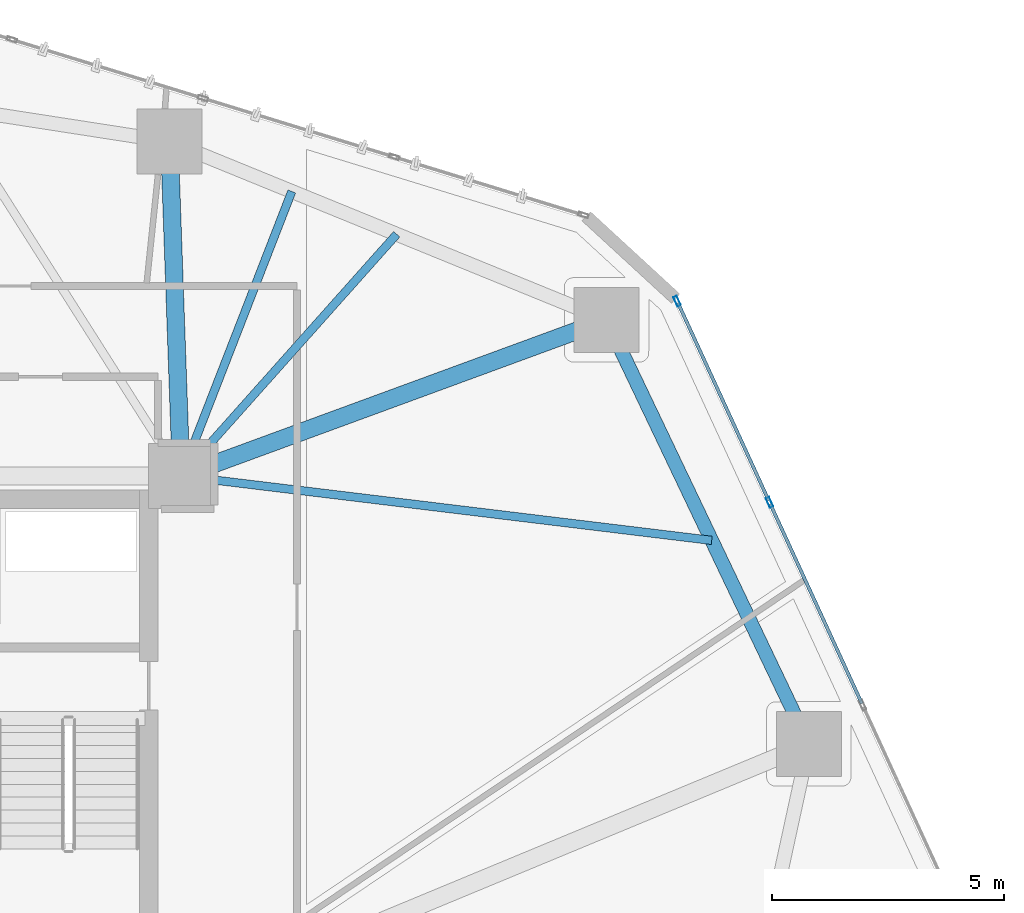
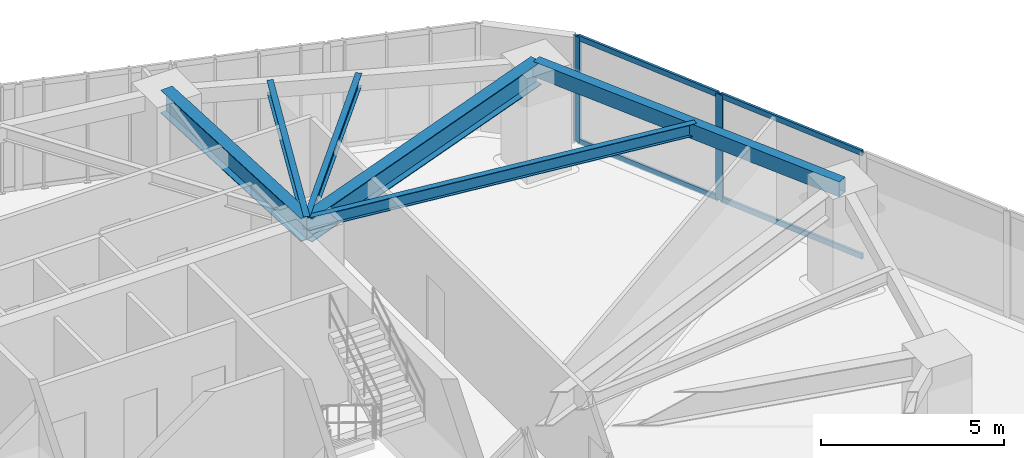
# One storey, part 13 of 24: 6 beams, 6 members, 1 element without a shape of its own.
"""IFC4 building model written with IfcOpenShell, lengths in metres."""

from ifc_helpers import new_model, si_unit, direction, frame, origin, origin_2d, place, context, subcontext, project, spatial, hollow_rectangle, i_section, extrude, source, transform, mapped, material, layer, layer_set, material_profile, profile_set, type_object, type_shapes, element, aggregate, save


model = new_model("IFC4")

# Units and contexts
model_context = context("Model", 3, precision=1e-05, world=origin(), true_north=direction((0.0, 1.0)))
body_context = subcontext(model_context, "Body", "Model", "MODEL_VIEW")
ifc_project = project(units=[si_unit("LENGTHUNIT", "METRE"), si_unit("AREAUNIT", "SQUARE_METRE"), si_unit("VOLUMEUNIT", "CUBIC_METRE"), si_unit("PLANEANGLEUNIT", "RADIAN"), si_unit("MASSUNIT", "GRAM", prefix="KILO")], contexts=[model_context])

# Site, building, storey
site_placement = place(None, origin())
site = spatial("IfcSite", under=ifc_project, at=site_placement, CompositionType="ELEMENT")
building_placement = place(site_placement, origin())
building = spatial("IfcBuilding", under=site, at=building_placement, Name="Talar Marvaseh", CompositionType="ELEMENT")
storey_placement = place(building_placement, frame((0.0, 0.0, 39.199951171875)))
storey = spatial("IfcBuildingStorey", under=building, at=storey_placement, Name="L09", CompositionType="ELEMENT", Elevation=39.199951171875)

# Beams
ifc_material_1 = material(Name="Steel S355", Category="steel")
ifc_material_profile_1 = material_profile(ifc_material_1, hollow_rectangle(XDim=0.300048828125, YDim=0.5, WallThickness=0.02001953125, at=origin_2d()), Name="RHS500x300x20")
ifc_profile_set_1 = profile_set([ifc_material_profile_1], Name="Steel S355")
beam_type_1 = type_object("IfcBeamType", Name="Zone 1 Perimeter Spandrel Beam RHS500x300x20", PredefinedType="SPANDREL", material=ifc_profile_set_1)
beam_1_placement = place(storey_placement, frame((42.47705078125, 40.26904296875, 3.27001953125), z_axis=(0.430480372911, -0.902599938255, 0.0), x_axis=(0.902599938255, 0.430480372911, 0.0)))
element("IfcBeam", 1, at=beam_1_placement, inside=storey, type_object=beam_type_1, Name="L09 Zone 1 Perimeter Spandrel Beam RHS500x300x20", PredefinedType="SPANDREL", context=body_context, shape_type="SweptSolid", body=[
    extrude(hollow_rectangle(XDim=0.300048828125, YDim=0.5, WallThickness=0.02001953125, at=origin_2d()), origin(), (0.0, 0.0, 1.0), 10.137451171875),
])
ifc_material_profile_2 = material_profile(ifc_material_1, i_section(OverallWidth=0.381103515625, OverallDepth=0.77294921875, WebThickness=0.0166015625, FlangeThickness=0.027099609375, at=origin_2d()), Name="W760x257")
ifc_profile_set_2 = profile_set([ifc_material_profile_2], Name="Steel S355")
beam_type_2 = type_object("IfcBeamType", Name="Zone 1 Radial Floor Girder W760x257", PredefinedType="BEAM", material=ifc_profile_set_2)
beam_2_placement = place(storey_placement, frame((42.47705078125, 40.26904296875, 3.133544921875), z_axis=(-0.938736057616, -0.344636930887, 0.0), x_axis=(0.344636930887, -0.938736057616, 0.0)))
element("IfcBeam", 2, at=beam_2_placement, inside=storey, type_object=beam_type_2, Name="L09 Zone 1 Radial Floor Girder W760x257", PredefinedType="BEAM", context=body_context, shape_type="SweptSolid", body=[
    extrude(i_section(OverallWidth=0.381103515625, OverallDepth=0.77294921875, WebThickness=0.0166015625, FlangeThickness=0.027099609375, at=origin_2d()), origin(), (0.0, 0.0, 1.0), 9.77587890625),
])
beam_3_placement = place(storey_placement, frame((33.0458984375, 44.117919921875, 3.133544921875), z_axis=(0.03518874657, -0.999380684281, 0.0), x_axis=(0.999380684281, 0.03518874657, 0.0)))
element("IfcBeam", 3, at=beam_3_placement, inside=storey, type_object=beam_type_2, Name="L09 Zone 1 Radial Floor Girder W760x257", PredefinedType="BEAM", context=body_context, shape_type="SweptSolid", body=[
    extrude(i_section(OverallWidth=0.381103515625, OverallDepth=0.77294921875, WebThickness=0.0166015625, FlangeThickness=0.027099609375, at=origin_2d()), origin(), (0.0, 0.0, 1.0), 7.222412109375),
])
ifc_material_profile_3 = material_profile(ifc_material_1, i_section(OverallWidth=0.179931640625, OverallDepth=0.4130859375, WebThickness=0.009765625, FlangeThickness=0.01611328125, at=origin_2d()), Name="W410x75")
ifc_profile_set_3 = profile_set([ifc_material_profile_3], Name="Steel S355")
beam_type_3 = type_object("IfcBeamType", Name="Zone 1 Secondary Floor Joist W410x75", PredefinedType="JOIST", material=ifc_profile_set_3)
beam_4_placement = place(storey_placement, frame((44.746337890625, 35.510986328125, 3.3134765625), z_axis=(-0.99271836771, 0.120458467577, 0.0), x_axis=(-0.120458467577, -0.99271836771, 0.0)))
element("IfcBeam", 4, at=beam_4_placement, inside=storey, type_object=beam_type_3, Name="L09 Zone 1 Secondary Floor Joist W410x75", PredefinedType="JOIST", context=body_context, shape_type="SweptSolid", body=[
    extrude(i_section(OverallWidth=0.179931640625, OverallDepth=0.4130859375, WebThickness=0.009765625, FlangeThickness=0.01611328125, at=origin_2d()), origin(), (0.0, 0.0, 1.0), 11.5302734375),
])
beam_5_placement = place(storey_placement, frame((35.686767578125, 43.040283203125, 3.3134765625), z_axis=(-0.362287091686, -0.932066555133, 0.0), x_axis=(0.932066555133, -0.362287091686, 0.0)))
element("IfcBeam", 5, at=beam_5_placement, inside=storey, type_object=beam_type_3, Name="L09 Zone 1 Secondary Floor Joist W410x75", PredefinedType="JOIST", context=body_context, shape_type="SweptSolid", body=[
    extrude(i_section(OverallWidth=0.179931640625, OverallDepth=0.4130859375, WebThickness=0.009765625, FlangeThickness=0.01611328125, at=origin_2d()), origin(), (0.0, 0.0, 1.0), 6.587890625),
])
beam_6_placement = place(storey_placement, frame((37.9501953125, 42.116455078125, 3.3134765625), z_axis=(-0.665419195859, -0.746469888062, 0.0), x_axis=(0.746469888062, -0.665419195859, 0.0)))
element("IfcBeam", 6, at=beam_6_placement, inside=storey, type_object=beam_type_3, Name="L09 Zone 1 Secondary Floor Joist W410x75", PredefinedType="JOIST", context=body_context, shape_type="SweptSolid", body=[
    extrude(i_section(OverallWidth=0.179931640625, OverallDepth=0.4130859375, WebThickness=0.009765625, FlangeThickness=0.01611328125, at=origin_2d()), origin(), (0.0, 0.0, 1.0), 6.98828125),
])

# Curtain wall, members
ifc_material_2 = material(Name="Architectural Aluminium", Category="aluminium")
ifc_layer = layer(ifc_material_2, 0.219970703125)
ifc_layer_set = layer_set([ifc_layer], Name="Architectural Aluminium")
curtain_wall_type = type_object("IfcCurtainWallType", Name="Unitised Low-E Museum Curtain Wall Z1", PredefinedType="NOTDEFINED", material=ifc_layer_set)
curtain_wall_placement = place(storey_placement, origin())
curtain_wall = element("IfcCurtainWall", 7, at=curtain_wall_placement, inside=storey, type_object=curtain_wall_type, Name="L09 Unitised Low-E Museum Curtain Wall Z1", PredefinedType="NOTDEFINED")
ifc_material_profile_4 = material_profile(ifc_material_2, hollow_rectangle(XDim=0.080078125, YDim=0.219970703125, WallThickness=0.0048828125, at=origin_2d()), Name="RHS220x80x5")
ifc_profile_set_4 = profile_set([ifc_material_profile_4], Name="Architectural Aluminium")
member_type_1 = type_object("IfcMemberType", Name="Unitised Curtain Wall Heavy Mullion RHS220x80x5", PredefinedType="MULLION", material=ifc_profile_set_4)
shared_shape_1 = source(origin(), body_context, "Body", "SweptSolid", [
    extrude(hollow_rectangle(XDim=0.080078125, YDim=0.219970703125, WallThickness=0.0048828125, at=origin_2d()), origin(), (0.0, 0.0, 1.0), 3.52001953125),
])
type_shapes(member_type_1, [shared_shape_1])
member_1_placement = place(storey_placement, frame((44.000244140625, 40.67333984375, 0.0), z_axis=(0.0, 0.0, 1.0), x_axis=(0.908844674972, 0.417134698599, 0.0)))
member_1 = element("IfcMember", 8, at=member_1_placement, type_object=member_type_1, Name="CW-Z1 mullion 1", PredefinedType="MULLION", context=body_context, shape_type="MappedRepresentation", body=[
    mapped(shared_shape_1, transform((0.0, 0.0, 0.0), x_axis=(1.0, 0.0, 0.0), y_axis=(0.0, 1.0, 0.0), z_axis=(0.0, 0.0, 1.0), scale=1.0)),
])
member_2_placement = place(storey_placement, frame((45.99267578125, 36.332275390625, 0.0), z_axis=(0.0, 0.0, 1.0), x_axis=(0.908844674972, 0.417134698599, 0.0)))
member_2 = element("IfcMember", 9, at=member_2_placement, type_object=member_type_1, Name="CW-Z1 mullion 2", PredefinedType="MULLION", context=body_context, shape_type="MappedRepresentation", body=[
    mapped(shared_shape_1, transform((0.0, 0.0, 0.0), x_axis=(1.0, 0.0, 0.0), y_axis=(0.0, 1.0, 0.0), z_axis=(0.0, 0.0, 1.0), scale=1.0)),
])
ifc_material_profile_5 = material_profile(ifc_material_2, hollow_rectangle(XDim=0.074951171875, YDim=0.179931640625, WallThickness=0.0048828125, at=origin_2d()), Name="RHS180x75x5")
ifc_profile_set_5 = profile_set([ifc_material_profile_5], Name="Architectural Aluminium")
member_type_2 = type_object("IfcMemberType", Name="Unitised Curtain Wall Transom RHS180x75x5", PredefinedType="USERDEFINED", material=ifc_profile_set_5)
shared_shape_2 = source(origin(), body_context, "Body", "SweptSolid", [
    extrude(hollow_rectangle(XDim=0.074951171875, YDim=0.179931640625, WallThickness=0.0048828125, at=origin_2d()), origin(), (0.0, 0.0, 1.0), 4.696533203125),
])
member_3_placement = place(storey_placement, frame((44.01708984375, 40.63720703125, 0.03759765625), z_axis=(0.417105719114, -0.908857975199, 0.0), x_axis=(0.908857975199, 0.417105719114, 0.0)))
member_3 = element("IfcMember", 10, at=member_3_placement, type_object=member_type_2, Name="CW-Z1 transom 1.1", ObjectType="TRANSOM", PredefinedType="USERDEFINED", context=body_context, shape_type="MappedRepresentation", body=[
    mapped(shared_shape_2, transform((0.0, 0.0, 0.0), x_axis=(1.0, 0.0, 0.0), y_axis=(0.0, 1.0, 0.0), z_axis=(0.0, 0.0, 1.0), scale=1.0)),
])
member_4_placement = place(storey_placement, frame((44.01708984375, 40.63720703125, 3.482666015625), z_axis=(0.417105719114, -0.908857975199, 0.0), x_axis=(0.908857975199, 0.417105719114, 0.0)))
member_4 = element("IfcMember", 11, at=member_4_placement, type_object=member_type_2, Name="CW-Z1 transom 1.2", ObjectType="TRANSOM", PredefinedType="USERDEFINED", context=body_context, shape_type="MappedRepresentation", body=[
    mapped(shared_shape_2, transform((0.0, 0.0, 0.0), x_axis=(1.0, 0.0, 0.0), y_axis=(0.0, 1.0, 0.0), z_axis=(0.0, 0.0, 1.0), scale=1.0)),
])
shared_shape_3 = source(origin(), body_context, "Body", "SweptSolid", [
    extrude(hollow_rectangle(XDim=0.074951171875, YDim=0.179931640625, WallThickness=0.0048828125, at=origin_2d()), origin(), (0.0, 0.0, 1.0), 4.73681640625),
])
type_shapes(member_type_2, [shared_shape_2, shared_shape_3])
member_5_placement = place(storey_placement, frame((46.009521484375, 36.2958984375, 0.03759765625), z_axis=(0.417132066629, -0.908845882969, 0.0), x_axis=(0.908845882969, 0.417132066629, 0.0)))
member_5 = element("IfcMember", 12, at=member_5_placement, type_object=member_type_2, Name="CW-Z1 transom 2.1", ObjectType="TRANSOM", PredefinedType="USERDEFINED", context=body_context, shape_type="MappedRepresentation", body=[
    mapped(shared_shape_3, transform((0.0, 0.0, 0.0), x_axis=(1.0, 0.0, 0.0), y_axis=(0.0, 1.0, 0.0), z_axis=(0.0, 0.0, 1.0), scale=1.0)),
])
member_6_placement = place(storey_placement, frame((46.009521484375, 36.2958984375, 3.482666015625), z_axis=(0.417132066629, -0.908845882969, 0.0), x_axis=(0.908845882969, 0.417132066629, 0.0)))
member_6 = element("IfcMember", 13, at=member_6_placement, type_object=member_type_2, Name="CW-Z1 transom 2.2", ObjectType="TRANSOM", PredefinedType="USERDEFINED", context=body_context, shape_type="MappedRepresentation", body=[
    mapped(shared_shape_3, transform((0.0, 0.0, 0.0), x_axis=(1.0, 0.0, 0.0), y_axis=(0.0, 1.0, 0.0), z_axis=(0.0, 0.0, 1.0), scale=1.0)),
])
aggregate(curtain_wall, [member_1, member_2, member_3, member_4, member_5, member_6])

save(model, "model.ifc")
